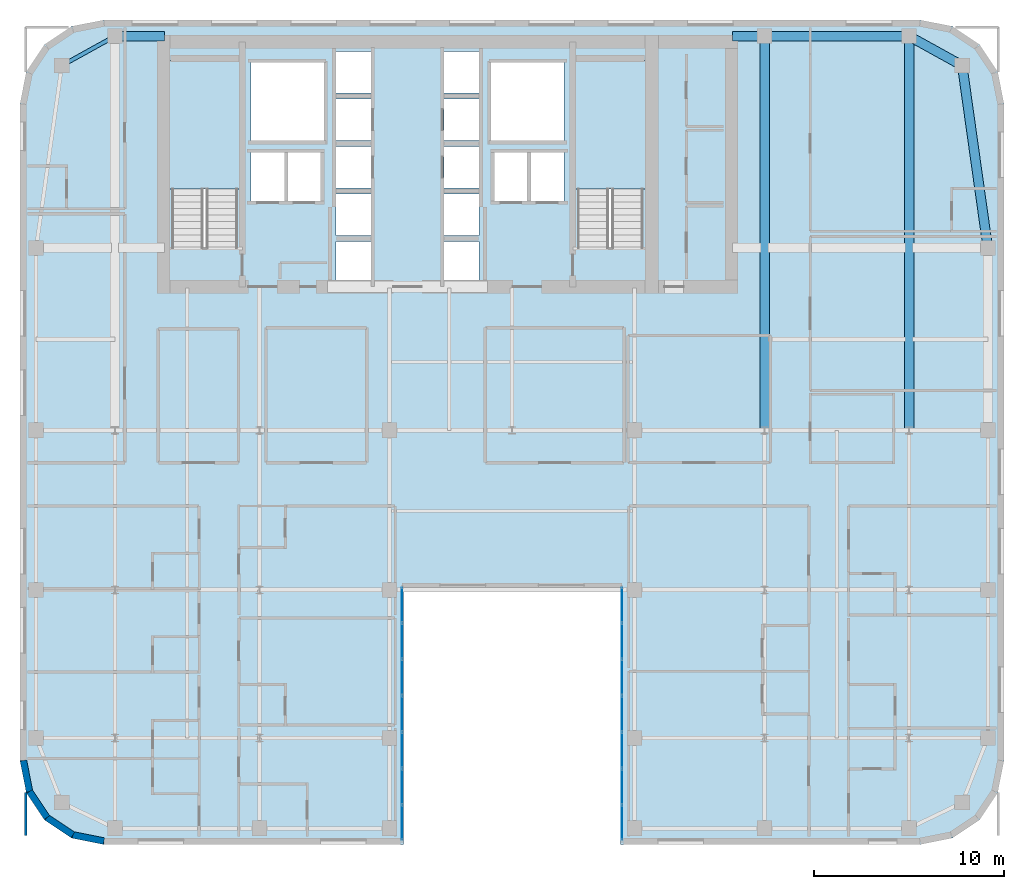
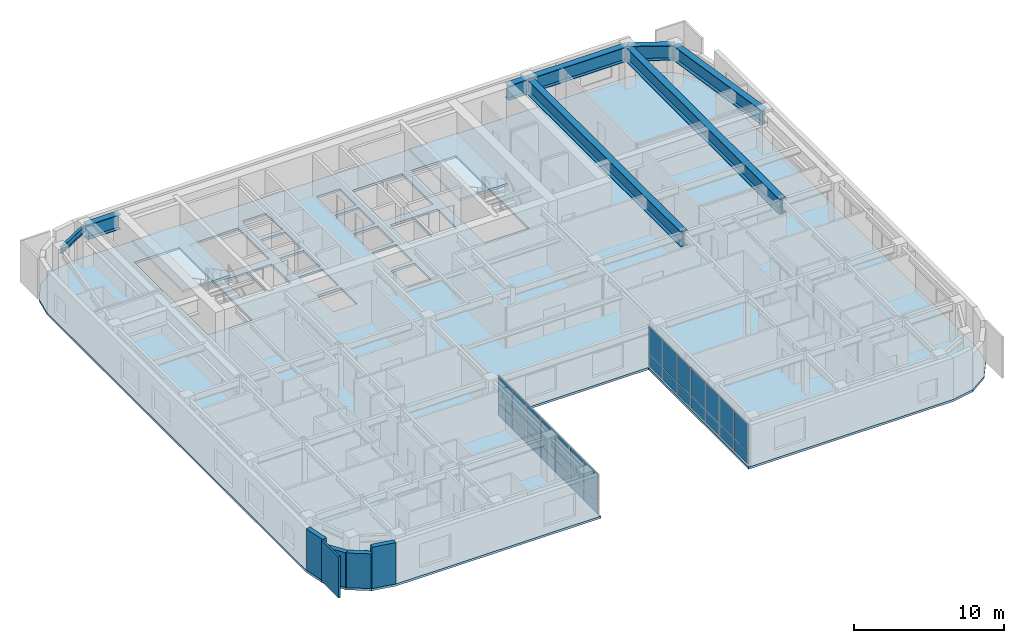
# One storey, part 6 of 14: 28 plates, 8 beams, 5 walls, 3 slabs, 4 elements without a shape of their own.
"""IFC4 building model written with IfcOpenShell, lengths in metres."""

from ifc_helpers import new_model, si_unit, direction, frame, frame_2d, origin, origin_2d, place, context, subcontext, project, spatial, polyline, rectangle, i_section, outline, extrude, source, transform, mapped, material, layer, layer_set, material_profile, profile_set, type_object, type_shapes, element, aggregate, save


model = new_model("IFC4")

# Units and contexts
model_context = context("Model", 3, precision=1e-05, world=origin(), true_north=direction((0.0, 1.0)))
body_context = subcontext(model_context, "Body", "Model", "MODEL_VIEW")
ifc_project = project(units=[si_unit("LENGTHUNIT", "METRE"), si_unit("AREAUNIT", "SQUARE_METRE"), si_unit("VOLUMEUNIT", "CUBIC_METRE"), si_unit("PLANEANGLEUNIT", "RADIAN"), si_unit("MASSUNIT", "GRAM", prefix="KILO")], contexts=[model_context])

# Site, building, storey
site_placement = place(None, origin())
site = spatial("IfcSite", under=ifc_project, at=site_placement, CompositionType="ELEMENT")
building_placement = place(site_placement, origin())
building = spatial("IfcBuilding", under=site, at=building_placement, Name="Tolvann Quenvar Hotel", CompositionType="ELEMENT")
storey_placement = place(building_placement, frame((0.0, 0.0, 187.550048828125)))
storey = spatial("IfcBuildingStorey", under=building, at=storey_placement, Name="L49", CompositionType="ELEMENT", Elevation=187.550048828125)

# Beams
ifc_material_1 = material(Name="Steel Grade 350", Category="steel")
ifc_material_profile_1 = material_profile(ifc_material_1, i_section(OverallWidth=0.5, OverallDepth=1.199951171875, WebThickness=0.01611328125, FlangeThickness=0.0400390625, at=origin_2d()), Name="1200WB455")
ifc_profile_set_1 = profile_set([ifc_material_profile_1], Name="Steel Grade 350")
beam_type_1 = type_object("IfcBeamType", Name="BM_TG_1200WB455", PredefinedType="USERDEFINED", material=ifc_profile_set_1)
shared_shape_1 = source(origin(), body_context, "Body", "SweptSolid", [
    extrude(i_section(OverallWidth=0.5, OverallDepth=1.199951171875, WebThickness=0.01611328125, FlangeThickness=0.0400390625, at=origin_2d()), origin(), (0.0, 0.0, 1.0), 7.599853515625),
])
beam_1_placement = place(storey_placement, frame((49.39990234375, 45.14990234375, 2.77001953125), z_axis=(-1.0, 0.0, 0.0), x_axis=(0.0, -1.0, 0.0)))
element("IfcBeam", 1, at=beam_1_placement, inside=storey, type_object=beam_type_1, Name="BM-L49-FLK-E4", ObjectType="TRANSFER GIRDER", PredefinedType="USERDEFINED", context=body_context, shape_type="MappedRepresentation", body=[
    mapped(shared_shape_1, transform((0.0, 0.0, 0.0), x_axis=(1.0, 0.0, 0.0), y_axis=(0.0, 1.0, 0.0), z_axis=(0.0, 0.0, 1.0), scale=1.0)),
])
shared_shape_2 = source(origin(), body_context, "Body", "SweptSolid", [
    extrude(i_section(OverallWidth=0.5, OverallDepth=1.199951171875, WebThickness=0.01611328125, FlangeThickness=0.0400390625, at=origin_2d()), origin(), (0.0, 0.0, 1.0), 20.75),
])
for number, where, z_axis, x_axis, name in (
    (2, (41.800048828125, 24.39990234375, 2.77001953125), (0.0, 1.0, 0.0), (-1.0, 0.0, 0.0), "BM-L49-FLK-EH"),
    (3, (49.39990234375, 24.39990234375, 2.77001953125), (0.0, 1.0, 0.0), (-1.0, 0.0, 0.0), "BM-L49-FLK-EI"),
):
    element("IfcBeam", number, at=place(storey_placement, frame(where, z_axis=z_axis, x_axis=x_axis)), inside=storey, type_object=beam_type_1, Name=name, ObjectType="TRANSFER GIRDER", PredefinedType="USERDEFINED", context=body_context, shape_type="MappedRepresentation", body=[
        mapped(shared_shape_2, transform((0.0, 0.0, 0.0), x_axis=(1.0, 0.0, 0.0), y_axis=(0.0, 1.0, 0.0), z_axis=(0.0, 0.0, 1.0), scale=1.0)),
    ])
shared_shape_3 = source(origin(), body_context, "Body", "SweptSolid", [
    extrude(i_section(OverallWidth=0.5, OverallDepth=1.199951171875, WebThickness=0.01611328125, FlangeThickness=0.0400390625, at=origin_2d()), origin(), (0.0, 0.0, 1.0), 2.599853515625),
])
beam_2_placement = place(storey_placement, frame((7.60009765625, 45.14990234375, 2.77001953125), z_axis=(1.0, 0.0, 0.0), x_axis=(0.0, 1.0, 0.0)))
element("IfcBeam", 4, at=beam_2_placement, inside=storey, type_object=beam_type_1, Name="BM-L49-CTW-CN", ObjectType="TRANSFER GIRDER", PredefinedType="USERDEFINED", context=body_context, shape_type="MappedRepresentation", body=[
    mapped(shared_shape_3, transform((0.0, 0.0, 0.0), x_axis=(1.0, 0.0, 0.0), y_axis=(0.0, 1.0, 0.0), z_axis=(0.0, 0.0, 1.0), scale=1.0)),
])
shared_shape_4 = source(origin(), body_context, "Body", "SweptSolid", [
    extrude(i_section(OverallWidth=0.5, OverallDepth=1.199951171875, WebThickness=0.01611328125, FlangeThickness=0.0400390625, at=origin_2d()), origin(), (0.0, 0.0, 1.0), 1.699951171875),
])
beam_3_placement = place(storey_placement, frame((40.10009765625, 45.14990234375, 2.77001953125), z_axis=(1.0, 0.0, 0.0), x_axis=(0.0, 1.0, 0.0)))
element("IfcBeam", 5, at=beam_3_placement, inside=storey, type_object=beam_type_1, Name="BM-L49-CTE-HN", ObjectType="TRANSFER GIRDER", PredefinedType="USERDEFINED", context=body_context, shape_type="MappedRepresentation", body=[
    mapped(shared_shape_4, transform((0.0, 0.0, 0.0), x_axis=(1.0, 0.0, 0.0), y_axis=(0.0, 1.0, 0.0), z_axis=(0.0, 0.0, 1.0), scale=1.0)),
])
ifc_material_profile_2 = material_profile(ifc_material_1, i_section(OverallWidth=0.208984375, OverallDepth=0.528076171875, WebThickness=0.009521484375, FlangeThickness=0.01318359375, FilletRadius=0.013916015625, at=origin_2d()), Name="530UB82")
ifc_profile_set_2 = profile_set([ifc_material_profile_2], Name="Steel Grade 350")
beam_type_2 = type_object("IfcBeamType", Name="BM_SPAND_530UB82", PredefinedType="SPANDREL", material=ifc_profile_set_2)
shared_shape_5 = source(origin(), body_context, "Body", "SweptSolid", [
    extrude(i_section(OverallWidth=0.208984375, OverallDepth=0.528076171875, WebThickness=0.009521484375, FlangeThickness=0.01318359375, FilletRadius=0.013916015625, at=origin_2d()), origin(), (0.0, 0.0, 1.0), 3.200439453125),
])
type_shapes(beam_type_2, [shared_shape_5])
beam_4_placement = place(storey_placement, frame((4.800048828125, 43.60009765625, 3.10595703125), z_axis=(0.87492264453, 0.48426270359, 0.0), x_axis=(-0.48426270359, 0.87492264453, 0.0)))
element("IfcBeam", 6, at=beam_4_placement, inside=storey, type_object=beam_type_2, Name="BM-L49-FLK-W3", PredefinedType="SPANDREL", context=body_context, shape_type="MappedRepresentation", body=[
    mapped(shared_shape_5, transform((0.0, 0.0, 0.0), x_axis=(1.0, 0.0, 0.0), y_axis=(0.0, 1.0, 0.0), z_axis=(0.0, 0.0, 1.0), scale=1.0)),
])
shared_shape_6 = source(origin(), body_context, "Body", "SweptSolid", [
    extrude(i_section(OverallWidth=0.5, OverallDepth=1.199951171875, WebThickness=0.01611328125, FlangeThickness=0.0400390625, at=origin_2d()), origin(), (0.0, 0.0, 1.0), 9.694580078125),
])
beam_5_placement = place(storey_placement, frame((53.550048828125, 34.0, 2.77001953125), z_axis=(-0.139263320262, 0.990255385055, 0.0), x_axis=(-0.990255385055, -0.139263320262, 0.0)))
element("IfcBeam", 7, at=beam_5_placement, inside=storey, type_object=beam_type_1, Name="BM-L49-FLK-E2", ObjectType="TRANSFER GIRDER", PredefinedType="USERDEFINED", context=body_context, shape_type="MappedRepresentation", body=[
    mapped(shared_shape_6, transform((0.0, 0.0, 0.0), x_axis=(1.0, 0.0, 0.0), y_axis=(0.0, 1.0, 0.0), z_axis=(0.0, 0.0, 1.0), scale=1.0)),
])
shared_shape_7 = source(origin(), body_context, "Body", "SweptSolid", [
    extrude(i_section(OverallWidth=0.5, OverallDepth=1.199951171875, WebThickness=0.01611328125, FlangeThickness=0.0400390625, at=origin_2d()), origin(), (0.0, 0.0, 1.0), 3.200439453125),
])
type_shapes(beam_type_1, [shared_shape_1, shared_shape_2, shared_shape_3, shared_shape_4, shared_shape_6, shared_shape_7])
beam_6_placement = place(storey_placement, frame((52.199951171875, 43.60009765625, 2.77001953125), z_axis=(-0.87492264453, 0.48426270359, 0.0), x_axis=(-0.48426270359, -0.87492264453, 0.0)))
element("IfcBeam", 8, at=beam_6_placement, inside=storey, type_object=beam_type_1, Name="BM-L49-FLK-E3", ObjectType="TRANSFER GIRDER", PredefinedType="USERDEFINED", context=body_context, shape_type="MappedRepresentation", body=[
    mapped(shared_shape_7, transform((0.0, 0.0, 0.0), x_axis=(1.0, 0.0, 0.0), y_axis=(0.0, 1.0, 0.0), z_axis=(0.0, 0.0, 1.0), scale=1.0)),
])

# Stair, slab
ifc_material_2 = material(Name="Concrete N40 (40 MPa)", Category="concrete")
stair_type = type_object("IfcStairType", Name="STAIR", PredefinedType="HALF_TURN_STAIR", material=ifc_material_2)
stair_1_placement = place(storey_placement, origin())
stair_1 = element("IfcStair", 9, at=stair_1_placement, inside=storey, type_object=stair_type, Name="L49 ST-C1", PredefinedType="HALF_TURN_STAIR")
ifc_layer_1 = layer(ifc_material_2, 0.199951171875)
ifc_layer_set_1 = layer_set([ifc_layer_1], Name="Concrete N40 (40 MPa)")
slab_type_1 = type_object("IfcSlabType", Name="SLAB_LANDING", PredefinedType="LANDING", material=ifc_layer_set_1)
slab_1_placement = place(storey_placement, frame((0.0, 0.0, 1.574951171875)))
slab_1 = element("IfcSlab", 10, at=slab_1_placement, type_object=slab_type_1, Name="ST-C1 landing 1", PredefinedType="LANDING", context=body_context, shape_type="SweptSolid", body=[
    extrude(outline(polyline([(14.179931640625, 37.10498046875), (14.179931640625, 43.8798828125), (10.469970703125, 43.8798828125), (10.469970703125, 37.10498046875), (14.179931640625, 37.10498046875)])), origin(), (0.0, 0.0, 1.0), 0.199951171875),
])
aggregate(stair_1, [slab_1])

stair_2_placement = place(storey_placement, origin())
stair_2 = element("IfcStair", 11, at=stair_2_placement, inside=storey, type_object=stair_type, Name="L49 ST-C2", PredefinedType="HALF_TURN_STAIR")
slab_2_placement = place(storey_placement, frame((0.0, 0.0, 1.574951171875)))
slab_2 = element("IfcSlab", 12, at=slab_2_placement, type_object=slab_type_1, Name="ST-C2 landing 1", PredefinedType="LANDING", context=body_context, shape_type="SweptSolid", body=[
    extrude(outline(polyline([(35.530029296875, 37.10498046875), (35.530029296875, 43.8798828125), (31.820068359375, 43.8798828125), (31.820068359375, 37.10498046875), (35.530029296875, 37.10498046875)])), origin(), (0.0, 0.0, 1.0), 0.199951171875),
])
aggregate(stair_2, [slab_2])

# Slab
ifc_layer_2 = layer(ifc_material_2, 0.179931640625)
ifc_layer_set_2 = layer_set([ifc_layer_2], Name="Concrete N40 (40 MPa)")
slab_type_2 = type_object("IfcSlabType", Name="SLAB_TWR_180", PredefinedType="FLOOR", material=ifc_layer_set_2)
slab_3_placement = place(storey_placement, frame((0.0, 0.0, -0.179931640625)))
element("IfcSlab", 13, at=slab_3_placement, inside=storey, type_object=slab_type_2, Name="Level L49 Structural Floor Slab", PredefinedType="FLOOR", context=body_context, shape_type="SweptSolid", body=[
    extrude(outline(polyline([(2.60009765625, 7.0), (2.934814453125, 5.316162109375), (3.888671875, 3.888671875), (5.316162109375, 2.934814453125), (7.0, 2.60009765625), (22.800048828125, 2.60009765625), (22.800048828125, 16.0), (34.199951171875, 16.0), (34.199951171875, 2.60009765625), (50.0, 2.60009765625), (51.683837890625, 2.934814453125), (53.111328125, 3.888671875), (54.065185546875, 5.316162109375), (54.39990234375, 7.0), (54.39990234375, 41.60009765625), (54.065185546875, 43.28369140625), (53.111328125, 44.711181640625), (51.683837890625, 45.6650390625), (50.0, 46.0), (7.0, 46.0), (5.316162109375, 45.6650390625), (3.888671875, 44.711181640625), (2.934814453125, 43.28369140625), (2.60009765625, 41.60009765625), (2.60009765625, 7.0)]), holes=[polyline([(31.949951171875, 34.02490234375), (31.949951171875, 43.800048828125), (35.39990234375, 43.800048828125), (35.39990234375, 34.02490234375), (31.949951171875, 34.02490234375)]), polyline([(29.449951171875, 39.02001953125), (31.25, 39.02001953125), (31.25, 36.47998046875), (29.449951171875, 36.47998046875), (29.449951171875, 39.02001953125)]), polyline([(31.25, 43.75), (31.25, 39.64990234375), (27.39990234375, 39.64990234375), (27.39990234375, 43.75), (31.25, 43.75)]), polyline([(27.574951171875, 39.02001953125), (29.324951171875, 39.02001953125), (29.324951171875, 36.47998046875), (27.574951171875, 36.47998046875), (27.574951171875, 39.02001953125)]), polyline([(26.77001953125, 44.340087890625), (26.77001953125, 42.159912109375), (24.929931640625, 42.159912109375), (24.929931640625, 44.340087890625), (26.77001953125, 44.340087890625)]), polyline([(24.929931640625, 41.840087890625), (26.77001953125, 41.840087890625), (26.77001953125, 39.659912109375), (24.929931640625, 39.659912109375), (24.929931640625, 41.840087890625)]), polyline([(24.929931640625, 39.340087890625), (26.77001953125, 39.340087890625), (26.77001953125, 37.159912109375), (24.929931640625, 37.159912109375), (24.929931640625, 39.340087890625)]), polyline([(24.929931640625, 36.840087890625), (26.77001953125, 36.840087890625), (26.77001953125, 34.659912109375), (24.929931640625, 34.659912109375), (24.929931640625, 36.840087890625)]), polyline([(24.929931640625, 34.340087890625), (26.77001953125, 34.340087890625), (26.77001953125, 32.159912109375), (24.929931640625, 32.159912109375), (24.929931640625, 34.340087890625)]), polyline([(21.070068359375, 44.340087890625), (21.070068359375, 42.159912109375), (19.22998046875, 42.159912109375), (19.22998046875, 44.340087890625), (21.070068359375, 44.340087890625)]), polyline([(19.22998046875, 41.840087890625), (21.070068359375, 41.840087890625), (21.070068359375, 39.659912109375), (19.22998046875, 39.659912109375), (19.22998046875, 41.840087890625)]), polyline([(19.22998046875, 39.340087890625), (21.070068359375, 39.340087890625), (21.070068359375, 37.159912109375), (19.22998046875, 37.159912109375), (19.22998046875, 39.340087890625)]), polyline([(19.22998046875, 36.840087890625), (21.070068359375, 36.840087890625), (21.070068359375, 34.659912109375), (19.22998046875, 34.659912109375), (19.22998046875, 36.840087890625)]), polyline([(19.22998046875, 34.340087890625), (21.070068359375, 34.340087890625), (21.070068359375, 32.159912109375), (19.22998046875, 32.159912109375), (19.22998046875, 34.340087890625)]), polyline([(18.60009765625, 43.75), (18.60009765625, 39.64990234375), (14.75, 39.64990234375), (14.75, 43.75), (18.60009765625, 43.75)]), polyline([(16.675048828125, 39.02001953125), (18.425048828125, 39.02001953125), (18.425048828125, 36.47998046875), (16.675048828125, 36.47998046875), (16.675048828125, 39.02001953125)]), polyline([(14.75, 39.02001953125), (16.550048828125, 39.02001953125), (16.550048828125, 36.47998046875), (14.75, 36.47998046875), (14.75, 39.02001953125)]), polyline([(10.60009765625, 34.02490234375), (10.60009765625, 43.800048828125), (14.050048828125, 43.800048828125), (14.050048828125, 34.02490234375), (10.60009765625, 34.02490234375)])]), origin(), (0.0, 0.0, 1.0), 0.179931640625),
])

# Curtain wall, plates
ifc_material_3 = material(Name="Thermally broken anodised architectural aluminium 6063-T6 and laminated low-E glass", Category="aluminium")
ifc_layer_3 = layer(ifc_material_3, 0.179931640625)
ifc_layer_set_3 = layer_set([ifc_layer_3], Name="Thermally broken anodised architectural aluminium 6063-T6 and laminated low-E glass")
curtain_wall_type = type_object("IfcCurtainWallType", Name="CW_SYS_SLOT_03", PredefinedType="USERDEFINED", material=ifc_layer_set_3)
curtain_wall_1_placement = place(storey_placement, origin())
curtain_wall_1 = element("IfcCurtainWall", 14, at=curtain_wall_1_placement, inside=storey, type_object=curtain_wall_type, Name="Curtain Wall CW-SLOT-03 (CWR-L49-E05)", ObjectType="UNITISED CURTAIN WALL", PredefinedType="USERDEFINED")
ifc_material_4 = material(Name="Low-iron laminated double glazing with solar-control coating", Category="glass")
ifc_layer_4 = layer(ifc_material_4, 0.028076171875)
ifc_layer_set_4 = layer_set([ifc_layer_4], Name="Low-iron laminated double glazing with solar-control coating")
plate_type = type_object("IfcPlateType", Name="CW_PAN_VISION_28", PredefinedType="CURTAIN_PANEL", material=ifc_layer_set_4)
shared_shape_8 = source(origin(), body_context, "Body", "SweptSolid", [
    extrude(rectangle(XDim=1.809326171875, YDim=0.028076171875, at=origin_2d()), origin(), (0.0, 0.0, 1.0), 0.9599609375),
])
plate_1_placement = place(storey_placement, frame((22.7099609375, 3.749755859375, 0.06005859375), z_axis=(0.0, 0.0, 1.0), x_axis=(0.0, 1.0, 0.0)))
plate_1 = element("IfcPlate", 15, at=plate_1_placement, type_object=plate_type, Name="CW-SLOT-03 panel 1.1", PredefinedType="CURTAIN_PANEL", context=body_context, shape_type="MappedRepresentation", body=[
    mapped(shared_shape_8, transform((0.0, 0.0, 0.0), x_axis=(1.0, 0.0, 0.0), y_axis=(0.0, 1.0, 0.0), z_axis=(0.0, 0.0, 1.0), scale=1.0)),
])
plate_2_placement = place(storey_placement, frame((22.7099609375, 15.200439453125, 0.06005859375), z_axis=(0.0, 0.0, 1.0), x_axis=(0.0, 1.0, 0.0)))
plate_2 = element("IfcPlate", 16, at=plate_2_placement, type_object=plate_type, Name="CW-SLOT-03 panel 7.1", PredefinedType="CURTAIN_PANEL", context=body_context, shape_type="MappedRepresentation", body=[
    mapped(shared_shape_8, transform((0.0, 0.0, 0.0), x_axis=(1.0, 0.0, 0.0), y_axis=(0.0, 1.0, 0.0), z_axis=(0.0, 0.0, 1.0), scale=1.0)),
])

curtain_wall_2_placement = place(storey_placement, origin())
curtain_wall_2 = element("IfcCurtainWall", 17, at=curtain_wall_2_placement, inside=storey, type_object=curtain_wall_type, Name="Curtain Wall CW-SLOT-03 (CWR-L49-E07)", ObjectType="UNITISED CURTAIN WALL", PredefinedType="USERDEFINED")
plate_3_placement = place(storey_placement, frame((34.2900390625, 15.200439453125, 0.06005859375), z_axis=(0.0, 0.0, 1.0), x_axis=(0.0, -1.0, 0.0)))
plate_3 = element("IfcPlate", 18, at=plate_3_placement, type_object=plate_type, Name="CW-SLOT-03 panel 1.1", PredefinedType="CURTAIN_PANEL", context=body_context, shape_type="MappedRepresentation", body=[
    mapped(shared_shape_8, transform((0.0, 0.0, 0.0), x_axis=(1.0, 0.0, 0.0), y_axis=(0.0, 1.0, 0.0), z_axis=(0.0, 0.0, 1.0), scale=1.0)),
])
plate_4_placement = place(storey_placement, frame((34.2900390625, 3.749755859375, 0.06005859375), z_axis=(0.0, 0.0, 1.0), x_axis=(0.0, -1.0, 0.0)))
plate_4 = element("IfcPlate", 19, at=plate_4_placement, type_object=plate_type, Name="CW-SLOT-03 panel 7.1", PredefinedType="CURTAIN_PANEL", context=body_context, shape_type="MappedRepresentation", body=[
    mapped(shared_shape_8, transform((0.0, 0.0, 0.0), x_axis=(1.0, 0.0, 0.0), y_axis=(0.0, 1.0, 0.0), z_axis=(0.0, 0.0, 1.0), scale=1.0)),
])

# Plate
shared_shape_9 = source(origin(), body_context, "Body", "SweptSolid", [
    extrude(rectangle(XDim=1.809326171875, YDim=0.028076171875, at=origin_2d()), origin(), (0.0, 0.0, 1.0), 2.22998046875),
])
plate_5_placement = place(storey_placement, frame((22.7099609375, 3.749755859375, 1.080078125), z_axis=(0.0, 0.0, 1.0), x_axis=(0.0, 1.0, 0.0)))
plate_5 = element("IfcPlate", 20, at=plate_5_placement, type_object=plate_type, Name="CW-SLOT-03 panel 1.2", PredefinedType="CURTAIN_PANEL", context=body_context, shape_type="MappedRepresentation", body=[
    mapped(shared_shape_9, transform((0.0, 0.0, 0.0), x_axis=(1.0, 0.0, 0.0), y_axis=(0.0, 1.0, 0.0), z_axis=(0.0, 0.0, 1.0), scale=1.0)),
])

plate_6_placement = place(storey_placement, frame((22.7099609375, 15.200439453125, 1.080078125), z_axis=(0.0, 0.0, 1.0), x_axis=(0.0, 1.0, 0.0)))
plate_6 = element("IfcPlate", 21, at=plate_6_placement, type_object=plate_type, Name="CW-SLOT-03 panel 7.2", PredefinedType="CURTAIN_PANEL", context=body_context, shape_type="MappedRepresentation", body=[
    mapped(shared_shape_9, transform((0.0, 0.0, 0.0), x_axis=(1.0, 0.0, 0.0), y_axis=(0.0, 1.0, 0.0), z_axis=(0.0, 0.0, 1.0), scale=1.0)),
])

plate_7_placement = place(storey_placement, frame((34.2900390625, 15.200439453125, 1.080078125), z_axis=(0.0, 0.0, 1.0), x_axis=(0.0, -1.0, 0.0)))
plate_7 = element("IfcPlate", 22, at=plate_7_placement, type_object=plate_type, Name="CW-SLOT-03 panel 1.2", PredefinedType="CURTAIN_PANEL", context=body_context, shape_type="MappedRepresentation", body=[
    mapped(shared_shape_9, transform((0.0, 0.0, 0.0), x_axis=(1.0, 0.0, 0.0), y_axis=(0.0, 1.0, 0.0), z_axis=(0.0, 0.0, 1.0), scale=1.0)),
])

plate_8_placement = place(storey_placement, frame((34.2900390625, 3.749755859375, 1.080078125), z_axis=(0.0, 0.0, 1.0), x_axis=(0.0, -1.0, 0.0)))
plate_8 = element("IfcPlate", 23, at=plate_8_placement, type_object=plate_type, Name="CW-SLOT-03 panel 7.2", PredefinedType="CURTAIN_PANEL", context=body_context, shape_type="MappedRepresentation", body=[
    mapped(shared_shape_9, transform((0.0, 0.0, 0.0), x_axis=(1.0, 0.0, 0.0), y_axis=(0.0, 1.0, 0.0), z_axis=(0.0, 0.0, 1.0), scale=1.0)),
])

shared_shape_10 = source(origin(), body_context, "Body", "SweptSolid", [
    extrude(rectangle(XDim=1.84423828125, YDim=0.028076171875, at=origin_2d()), origin(), (0.0, 0.0, 1.0), 0.9599609375),
])
plate_9_placement = place(storey_placement, frame((22.7099609375, 5.646484375, 0.06005859375), z_axis=(0.0, 0.0, 1.0), x_axis=(0.0, 1.0, 0.0)))
plate_9 = element("IfcPlate", 24, at=plate_9_placement, type_object=plate_type, Name="CW-SLOT-03 panel 2.1", PredefinedType="CURTAIN_PANEL", context=body_context, shape_type="MappedRepresentation", body=[
    mapped(shared_shape_10, transform((0.0, 0.0, 0.0), x_axis=(1.0, 0.0, 0.0), y_axis=(0.0, 1.0, 0.0), z_axis=(0.0, 0.0, 1.0), scale=1.0)),
])

plate_10_placement = place(storey_placement, frame((22.7099609375, 7.560791015625, 0.06005859375), z_axis=(0.0, 0.0, 1.0), x_axis=(0.0, 1.0, 0.0)))
plate_10 = element("IfcPlate", 25, at=plate_10_placement, type_object=plate_type, Name="CW-SLOT-03 panel 3.1", PredefinedType="CURTAIN_PANEL", context=body_context, shape_type="MappedRepresentation", body=[
    mapped(shared_shape_10, transform((0.0, 0.0, 0.0), x_axis=(1.0, 0.0, 0.0), y_axis=(0.0, 1.0, 0.0), z_axis=(0.0, 0.0, 1.0), scale=1.0)),
])

plate_11_placement = place(storey_placement, frame((22.7099609375, 9.47509765625, 0.06005859375), z_axis=(0.0, 0.0, 1.0), x_axis=(0.0, 1.0, 0.0)))
plate_11 = element("IfcPlate", 26, at=plate_11_placement, type_object=plate_type, Name="CW-SLOT-03 panel 4.1", PredefinedType="CURTAIN_PANEL", context=body_context, shape_type="MappedRepresentation", body=[
    mapped(shared_shape_10, transform((0.0, 0.0, 0.0), x_axis=(1.0, 0.0, 0.0), y_axis=(0.0, 1.0, 0.0), z_axis=(0.0, 0.0, 1.0), scale=1.0)),
])

plate_12_placement = place(storey_placement, frame((22.7099609375, 11.389404296875, 0.06005859375), z_axis=(0.0, 0.0, 1.0), x_axis=(0.0, 1.0, 0.0)))
plate_12 = element("IfcPlate", 27, at=plate_12_placement, type_object=plate_type, Name="CW-SLOT-03 panel 5.1", PredefinedType="CURTAIN_PANEL", context=body_context, shape_type="MappedRepresentation", body=[
    mapped(shared_shape_10, transform((0.0, 0.0, 0.0), x_axis=(1.0, 0.0, 0.0), y_axis=(0.0, 1.0, 0.0), z_axis=(0.0, 0.0, 1.0), scale=1.0)),
])

plate_13_placement = place(storey_placement, frame((22.7099609375, 13.303466796875, 0.06005859375), z_axis=(0.0, 0.0, 1.0), x_axis=(0.0, 1.0, 0.0)))
plate_13 = element("IfcPlate", 28, at=plate_13_placement, type_object=plate_type, Name="CW-SLOT-03 panel 6.1", PredefinedType="CURTAIN_PANEL", context=body_context, shape_type="MappedRepresentation", body=[
    mapped(shared_shape_10, transform((0.0, 0.0, 0.0), x_axis=(1.0, 0.0, 0.0), y_axis=(0.0, 1.0, 0.0), z_axis=(0.0, 0.0, 1.0), scale=1.0)),
])

plate_14_placement = place(storey_placement, frame((34.2900390625, 13.303466796875, 0.06005859375), z_axis=(0.0, 0.0, 1.0), x_axis=(0.0, -1.0, 0.0)))
plate_14 = element("IfcPlate", 29, at=plate_14_placement, type_object=plate_type, Name="CW-SLOT-03 panel 2.1", PredefinedType="CURTAIN_PANEL", context=body_context, shape_type="MappedRepresentation", body=[
    mapped(shared_shape_10, transform((0.0, 0.0, 0.0), x_axis=(1.0, 0.0, 0.0), y_axis=(0.0, 1.0, 0.0), z_axis=(0.0, 0.0, 1.0), scale=1.0)),
])

plate_15_placement = place(storey_placement, frame((34.2900390625, 11.389404296875, 0.06005859375), z_axis=(0.0, 0.0, 1.0), x_axis=(0.0, -1.0, 0.0)))
plate_15 = element("IfcPlate", 30, at=plate_15_placement, type_object=plate_type, Name="CW-SLOT-03 panel 3.1", PredefinedType="CURTAIN_PANEL", context=body_context, shape_type="MappedRepresentation", body=[
    mapped(shared_shape_10, transform((0.0, 0.0, 0.0), x_axis=(1.0, 0.0, 0.0), y_axis=(0.0, 1.0, 0.0), z_axis=(0.0, 0.0, 1.0), scale=1.0)),
])

plate_16_placement = place(storey_placement, frame((34.2900390625, 9.47509765625, 0.06005859375), z_axis=(0.0, 0.0, 1.0), x_axis=(0.0, -1.0, 0.0)))
plate_16 = element("IfcPlate", 31, at=plate_16_placement, type_object=plate_type, Name="CW-SLOT-03 panel 4.1", PredefinedType="CURTAIN_PANEL", context=body_context, shape_type="MappedRepresentation", body=[
    mapped(shared_shape_10, transform((0.0, 0.0, 0.0), x_axis=(1.0, 0.0, 0.0), y_axis=(0.0, 1.0, 0.0), z_axis=(0.0, 0.0, 1.0), scale=1.0)),
])

plate_17_placement = place(storey_placement, frame((34.2900390625, 7.560791015625, 0.06005859375), z_axis=(0.0, 0.0, 1.0), x_axis=(0.0, -1.0, 0.0)))
plate_17 = element("IfcPlate", 32, at=plate_17_placement, type_object=plate_type, Name="CW-SLOT-03 panel 5.1", PredefinedType="CURTAIN_PANEL", context=body_context, shape_type="MappedRepresentation", body=[
    mapped(shared_shape_10, transform((0.0, 0.0, 0.0), x_axis=(1.0, 0.0, 0.0), y_axis=(0.0, 1.0, 0.0), z_axis=(0.0, 0.0, 1.0), scale=1.0)),
])

plate_18_placement = place(storey_placement, frame((34.2900390625, 5.646484375, 0.06005859375), z_axis=(0.0, 0.0, 1.0), x_axis=(0.0, -1.0, 0.0)))
plate_18 = element("IfcPlate", 33, at=plate_18_placement, type_object=plate_type, Name="CW-SLOT-03 panel 6.1", PredefinedType="CURTAIN_PANEL", context=body_context, shape_type="MappedRepresentation", body=[
    mapped(shared_shape_10, transform((0.0, 0.0, 0.0), x_axis=(1.0, 0.0, 0.0), y_axis=(0.0, 1.0, 0.0), z_axis=(0.0, 0.0, 1.0), scale=1.0)),
])

shared_shape_11 = source(origin(), body_context, "Body", "SweptSolid", [
    extrude(rectangle(XDim=1.84423828125, YDim=0.028076171875, at=origin_2d()), origin(), (0.0, 0.0, 1.0), 2.22998046875),
])
type_shapes(plate_type, [shared_shape_8, shared_shape_9, shared_shape_10, shared_shape_11])
plate_19_placement = place(storey_placement, frame((22.7099609375, 5.646484375, 1.080078125), z_axis=(0.0, 0.0, 1.0), x_axis=(0.0, 1.0, 0.0)))
plate_19 = element("IfcPlate", 34, at=plate_19_placement, type_object=plate_type, Name="CW-SLOT-03 panel 2.2", PredefinedType="CURTAIN_PANEL", context=body_context, shape_type="MappedRepresentation", body=[
    mapped(shared_shape_11, transform((0.0, 0.0, 0.0), x_axis=(1.0, 0.0, 0.0), y_axis=(0.0, 1.0, 0.0), z_axis=(0.0, 0.0, 1.0), scale=1.0)),
])

plate_20_placement = place(storey_placement, frame((22.7099609375, 7.560791015625, 1.080078125), z_axis=(0.0, 0.0, 1.0), x_axis=(0.0, 1.0, 0.0)))
plate_20 = element("IfcPlate", 35, at=plate_20_placement, type_object=plate_type, Name="CW-SLOT-03 panel 3.2", PredefinedType="CURTAIN_PANEL", context=body_context, shape_type="MappedRepresentation", body=[
    mapped(shared_shape_11, transform((0.0, 0.0, 0.0), x_axis=(1.0, 0.0, 0.0), y_axis=(0.0, 1.0, 0.0), z_axis=(0.0, 0.0, 1.0), scale=1.0)),
])

plate_21_placement = place(storey_placement, frame((22.7099609375, 9.47509765625, 1.080078125), z_axis=(0.0, 0.0, 1.0), x_axis=(0.0, 1.0, 0.0)))
plate_21 = element("IfcPlate", 36, at=plate_21_placement, type_object=plate_type, Name="CW-SLOT-03 panel 4.2", PredefinedType="CURTAIN_PANEL", context=body_context, shape_type="MappedRepresentation", body=[
    mapped(shared_shape_11, transform((0.0, 0.0, 0.0), x_axis=(1.0, 0.0, 0.0), y_axis=(0.0, 1.0, 0.0), z_axis=(0.0, 0.0, 1.0), scale=1.0)),
])

plate_22_placement = place(storey_placement, frame((22.7099609375, 11.389404296875, 1.080078125), z_axis=(0.0, 0.0, 1.0), x_axis=(0.0, 1.0, 0.0)))
plate_22 = element("IfcPlate", 37, at=plate_22_placement, type_object=plate_type, Name="CW-SLOT-03 panel 5.2", PredefinedType="CURTAIN_PANEL", context=body_context, shape_type="MappedRepresentation", body=[
    mapped(shared_shape_11, transform((0.0, 0.0, 0.0), x_axis=(1.0, 0.0, 0.0), y_axis=(0.0, 1.0, 0.0), z_axis=(0.0, 0.0, 1.0), scale=1.0)),
])

plate_23_placement = place(storey_placement, frame((22.7099609375, 13.303466796875, 1.080078125), z_axis=(0.0, 0.0, 1.0), x_axis=(0.0, 1.0, 0.0)))
plate_23 = element("IfcPlate", 38, at=plate_23_placement, type_object=plate_type, Name="CW-SLOT-03 panel 6.2", PredefinedType="CURTAIN_PANEL", context=body_context, shape_type="MappedRepresentation", body=[
    mapped(shared_shape_11, transform((0.0, 0.0, 0.0), x_axis=(1.0, 0.0, 0.0), y_axis=(0.0, 1.0, 0.0), z_axis=(0.0, 0.0, 1.0), scale=1.0)),
])

aggregate(curtain_wall_1, [plate_1, plate_5, plate_9, plate_19, plate_10, plate_20, plate_11, plate_21, plate_12, plate_22, plate_13, plate_23, plate_2, plate_6])

plate_24_placement = place(storey_placement, frame((34.2900390625, 13.303466796875, 1.080078125), z_axis=(0.0, 0.0, 1.0), x_axis=(0.0, -1.0, 0.0)))
plate_24 = element("IfcPlate", 39, at=plate_24_placement, type_object=plate_type, Name="CW-SLOT-03 panel 2.2", PredefinedType="CURTAIN_PANEL", context=body_context, shape_type="MappedRepresentation", body=[
    mapped(shared_shape_11, transform((0.0, 0.0, 0.0), x_axis=(1.0, 0.0, 0.0), y_axis=(0.0, 1.0, 0.0), z_axis=(0.0, 0.0, 1.0), scale=1.0)),
])

plate_25_placement = place(storey_placement, frame((34.2900390625, 11.389404296875, 1.080078125), z_axis=(0.0, 0.0, 1.0), x_axis=(0.0, -1.0, 0.0)))
plate_25 = element("IfcPlate", 40, at=plate_25_placement, type_object=plate_type, Name="CW-SLOT-03 panel 3.2", PredefinedType="CURTAIN_PANEL", context=body_context, shape_type="MappedRepresentation", body=[
    mapped(shared_shape_11, transform((0.0, 0.0, 0.0), x_axis=(1.0, 0.0, 0.0), y_axis=(0.0, 1.0, 0.0), z_axis=(0.0, 0.0, 1.0), scale=1.0)),
])

plate_26_placement = place(storey_placement, frame((34.2900390625, 9.47509765625, 1.080078125), z_axis=(0.0, 0.0, 1.0), x_axis=(0.0, -1.0, 0.0)))
plate_26 = element("IfcPlate", 41, at=plate_26_placement, type_object=plate_type, Name="CW-SLOT-03 panel 4.2", PredefinedType="CURTAIN_PANEL", context=body_context, shape_type="MappedRepresentation", body=[
    mapped(shared_shape_11, transform((0.0, 0.0, 0.0), x_axis=(1.0, 0.0, 0.0), y_axis=(0.0, 1.0, 0.0), z_axis=(0.0, 0.0, 1.0), scale=1.0)),
])

plate_27_placement = place(storey_placement, frame((34.2900390625, 7.560791015625, 1.080078125), z_axis=(0.0, 0.0, 1.0), x_axis=(0.0, -1.0, 0.0)))
plate_27 = element("IfcPlate", 42, at=plate_27_placement, type_object=plate_type, Name="CW-SLOT-03 panel 5.2", PredefinedType="CURTAIN_PANEL", context=body_context, shape_type="MappedRepresentation", body=[
    mapped(shared_shape_11, transform((0.0, 0.0, 0.0), x_axis=(1.0, 0.0, 0.0), y_axis=(0.0, 1.0, 0.0), z_axis=(0.0, 0.0, 1.0), scale=1.0)),
])

plate_28_placement = place(storey_placement, frame((34.2900390625, 5.646484375, 1.080078125), z_axis=(0.0, 0.0, 1.0), x_axis=(0.0, -1.0, 0.0)))
plate_28 = element("IfcPlate", 43, at=plate_28_placement, type_object=plate_type, Name="CW-SLOT-03 panel 6.2", PredefinedType="CURTAIN_PANEL", context=body_context, shape_type="MappedRepresentation", body=[
    mapped(shared_shape_11, transform((0.0, 0.0, 0.0), x_axis=(1.0, 0.0, 0.0), y_axis=(0.0, 1.0, 0.0), z_axis=(0.0, 0.0, 1.0), scale=1.0)),
])

aggregate(curtain_wall_2, [plate_3, plate_7, plate_14, plate_24, plate_15, plate_25, plate_16, plate_26, plate_17, plate_27, plate_18, plate_28, plate_4, plate_8])

# Walls
ifc_material_5 = material(Name="Kiln-fired red and buff architectural clay brickwork and terracotta masonry", Category="masonry")
ifc_layer_5 = layer(ifc_material_5, 0.35009765625)
ifc_layer_set_5 = layer_set([ifc_layer_5], Name="Kiln-fired red and buff architectural clay brickwork and terracotta masonry")
wall_type_1 = type_object("IfcWallType", Name="WALL_EXT_BRICK_350", PredefinedType="SOLIDWALL", material=ifc_layer_set_5)
for number, where, z_axis, x_axis, name in (
    (44, (3.099609375, 5.384521484375, 0.0), (0.0, 0.0, 1.0), (0.555623290322, -0.831434158098, 0.0), "Exterior Chicago Brick Wall L49-E01"),
    (45, (4.014892578125, 4.014892578125, 0.0), (0.0, 0.0, 1.0), (0.831434158098, -0.555623290322, 0.0), "Exterior Chicago Brick Wall L49-E02"),
):
    element("IfcWall", number, at=place(storey_placement, frame(where, z_axis=z_axis, x_axis=x_axis)), inside=storey, type_object=wall_type_1, Name=name, PredefinedType="SOLIDWALL", context=body_context, shape_type="SweptSolid", body=[
        extrude(rectangle(XDim=1.647216796875, YDim=0.35009765625, at=frame_2d((0.82373046875, 0.0))), origin(), (0.0, 0.0, 1.0), 2.83203125),
    ])
for number, where, z_axis, x_axis, name in (
    (46, (5.384521484375, 3.099609375, 0.0), (0.0, 0.0, 1.0), (0.980788844421, -0.195072403631, 0.0), "Exterior Chicago Brick Wall L49-E03"),
    (47, (2.77490234375, 7.01708984375, 0.0), (0.0, 0.0, 1.0), (0.195072403631, -0.980788844421, 0.0), "Exterior Chicago Brick Wall L49-E24"),
):
    element("IfcWall", number, at=place(storey_placement, frame(where, z_axis=z_axis, x_axis=x_axis)), inside=storey, type_object=wall_type_1, Name=name, PredefinedType="SOLIDWALL", context=body_context, shape_type="SweptSolid", body=[
        extrude(rectangle(XDim=1.66455078125, YDim=0.35009765625, at=frame_2d((0.832275390625, 0.0))), origin(), (0.0, 0.0, 1.0), 3.369873046875),
    ])
ifc_material_6 = material(Name="Acoustic twin-stud fire-rated gypsum plasterboard partition")
ifc_layer_6 = layer(ifc_material_6, 0.14990234375)
ifc_layer_set_6 = layer_set([ifc_layer_6], Name="Acoustic twin-stud fire-rated gypsum plasterboard partition")
wall_type_2 = type_object("IfcWallType", Name="WALL_PART_SUITE_150", PredefinedType="PARTITIONING", material=ifc_layer_set_6)
wall_placement = place(storey_placement, frame((2.89990234375, 3.080078125, 0.0), z_axis=(0.0, 0.0, 1.0), x_axis=(0.0, 1.0, 0.0)))
element("IfcWall", 48, at=wall_placement, inside=storey, type_object=wall_type_2, Name="Interior Partition PT-SPC-L49-RM-WO01-E6", PredefinedType="PARTITIONING", context=body_context, shape_type="SweptSolid", body=[
    extrude(rectangle(XDim=2.264892578125, YDim=0.14990234375, at=frame_2d((1.13232421875, 0.0))), origin(), (0.0, 0.0, 1.0), 3.369873046875),
])

save(model, "model.ifc")
